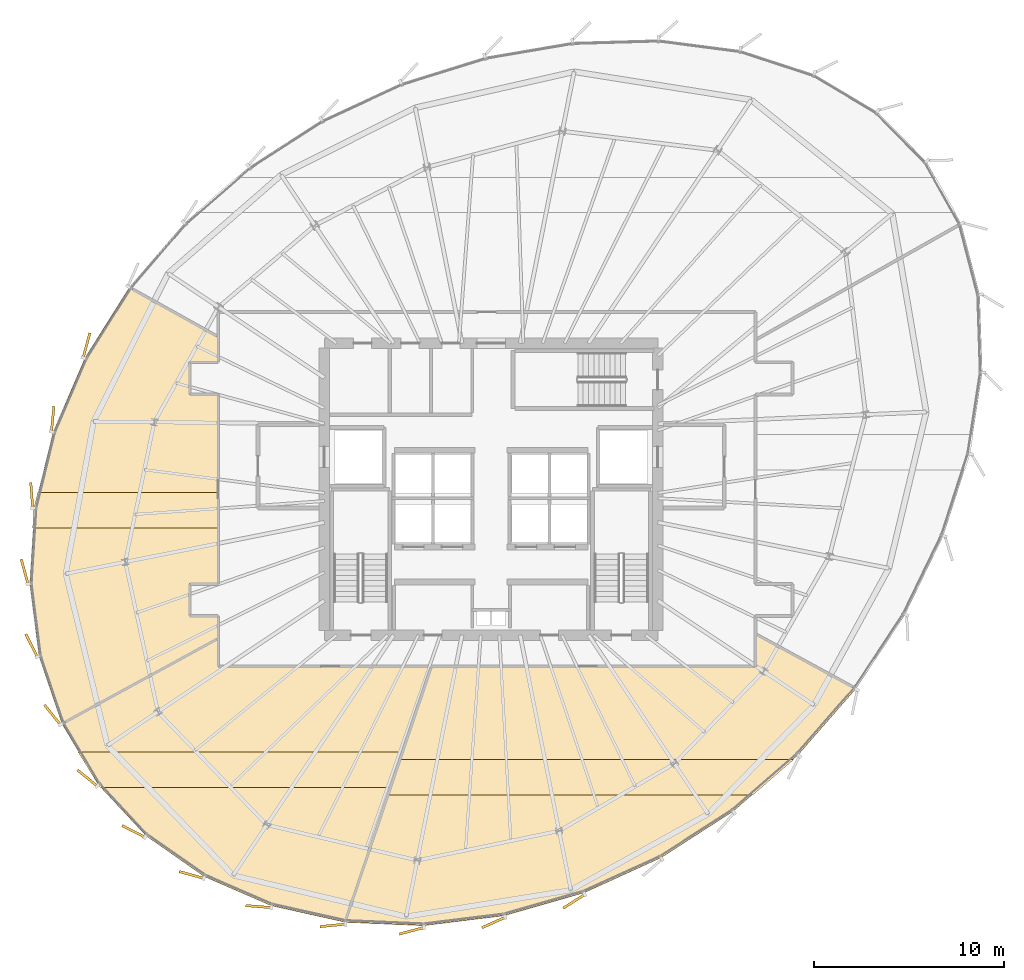
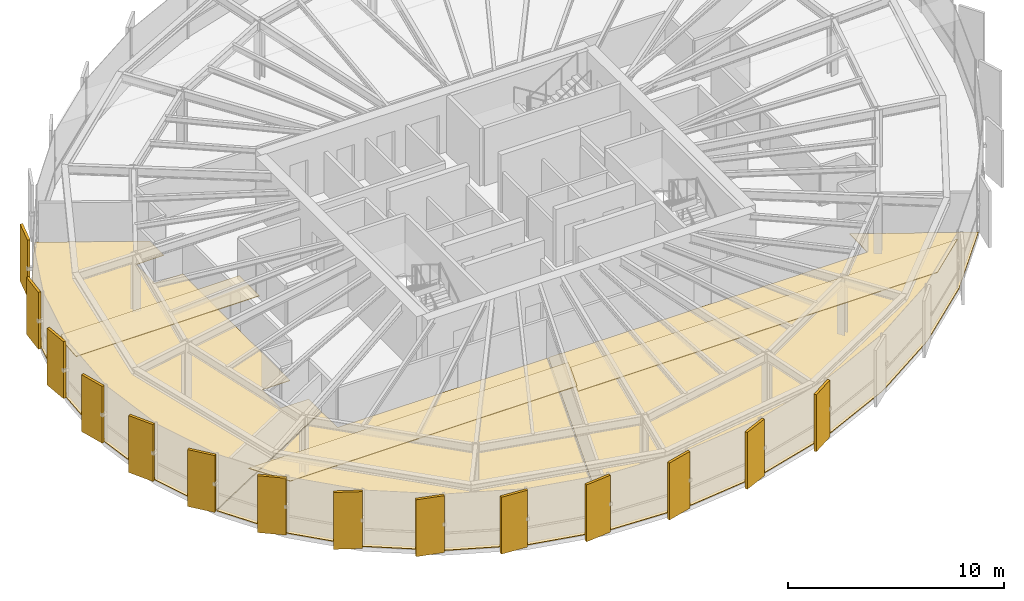
# One storey, part 32 of 34: 20 coverings.
"""IFC4 building model written with IfcOpenShell, lengths in metres."""

from ifc_helpers import new_model, si_unit, direction, frame, origin, origin_2d, place, context, subcontext, project, spatial, polyline, rectangle, outline, extrude, source, transform, mapped, material, layer, layer_set, type_object, element, save


model = new_model("IFC4")

# Units and contexts
model_context = context("Model", 3, precision=1e-05, world=origin(), true_north=direction((0.0, 1.0)))
body_context = subcontext(model_context, "Body", "Model", "MODEL_VIEW")
ifc_project = project(units=[si_unit("LENGTHUNIT", "METRE"), si_unit("AREAUNIT", "SQUARE_METRE"), si_unit("VOLUMEUNIT", "CUBIC_METRE"), si_unit("PLANEANGLEUNIT", "RADIAN"), si_unit("MASSUNIT", "GRAM", prefix="KILO"), si_unit("THERMODYNAMICTEMPERATUREUNIT", "KELVIN")], contexts=[model_context])

# Site, building, storey
site_placement = place(None, origin())
site = spatial("IfcSite", under=ifc_project, at=site_placement, CompositionType="ELEMENT")
building_placement = place(site_placement, origin())
building = spatial("IfcBuilding", under=site, at=building_placement, Name="Kethvar Cultural Tower", CompositionType="ELEMENT")
storey_placement = place(building_placement, frame((0.0, 0.0, 183.39990234375)))
storey = spatial("IfcBuildingStorey", under=building, at=storey_placement, Name="L47", CompositionType="ELEMENT", Elevation=183.39990234375)

# Coverings
ifc_material_1 = material(Name="Acoustic Mineral Fibre Ceiling")
ifc_layer_1 = layer(ifc_material_1, 0.0400390625, Name="Acoustic Mineral Fibre Ceiling")
ifc_layer_set_1 = layer_set([ifc_layer_1], Name="Acoustic Mineral Fibre Ceiling (40 mm)")
covering_type_1 = type_object("IfcCoveringType", Name="CV-ACOUSTIC-CEIL", PredefinedType="CEILING", material=ifc_layer_set_1)
covering_1_placement = place(storey_placement, frame((0.0, 0.0, 3.0)))
element("IfcCovering", 1, at=covering_1_placement, inside=storey, type_object=covering_type_1, Name="L47 Room 01 Acoustic Ceiling Panel", PredefinedType="CEILING", context=body_context, shape_type="SweptSolid", body=[
    extrude(outline(polyline([(26.175048828125, 12.05029296875), (25.0078125, 13.92041015625), (42.15625, 13.92041015625), (41.52783203125, 12.05029296875), (26.175048828125, 12.05029296875)])), origin(), (0.0, 0.0, 1.0), 0.0400390625),
])
covering_2_placement = place(storey_placement, frame((0.0, 0.0, 3.0)))
element("IfcCovering", 2, at=covering_2_placement, inside=storey, type_object=covering_type_1, Name="L47 Room 02 Acoustic Ceiling Panel", PredefinedType="CEILING", context=body_context, shape_type="SweptSolid", body=[
    extrude(outline(polyline([(60.608154296875, 11.658203125), (41.353759765625, 11.658203125), (41.982421875, 13.528076171875), (62.761474609375, 13.528076171875), (60.608154296875, 11.658203125)])), origin(), (0.0, 0.0, 1.0), 0.0400390625),
])
covering_3_placement = place(storey_placement, frame((0.0, 0.0, 3.0)))
element("IfcCovering", 3, at=covering_3_placement, inside=storey, type_object=covering_type_1, Name="L47 Room 05 Acoustic Ceiling Panel", PredefinedType="CEILING", context=body_context, shape_type="SweptSolid", body=[
    extrude(outline(polyline([(22.6708984375, 26.800537109375), (22.869140625, 27.61181640625), (32.419921875, 27.61181640625), (32.419921875, 25.741943359375), (22.604248046875, 25.741943359375), (22.6708984375, 26.800537109375)])), origin(), (0.0, 0.0, 1.0), 0.0400390625),
])
ifc_material_2 = material(Name="Honed Warm Limestone", Category="masonry")
ifc_layer_2 = layer(ifc_material_2, 0.030029296875, Name="Honed Warm Limestone", Category="masonry")
ifc_layer_set_2 = layer_set([ifc_layer_2], Name="Honed Warm Limestone (30 mm)")
covering_type_2 = type_object("IfcCoveringType", Name="CV-STONE-FLOOR", PredefinedType="FLOORING", material=ifc_layer_set_2)
covering_4_placement = place(storey_placement, origin())
element("IfcCovering", 4, at=covering_4_placement, inside=storey, type_object=covering_type_2, Name="L47 Room 01 Floor Finish", PredefinedType="FLOORING", context=body_context, shape_type="SweptSolid", body=[
    extrude(outline(polyline([(35.219970703125, 5.817626953125), (31.676513671875, 7.35595703125), (28.593017578125, 9.515380859375), (26.0625, 12.229736328125), (24.171142578125, 15.401123046875), (32.3798828125, 19.890625), (32.39794921875, 18.43017578125), (43.6298828125, 18.429931640625), (39.099609375, 4.95068359375), (35.219970703125, 5.817626953125)])), origin(), (0.0, 0.0, 1.0), 0.030029296875),
])
covering_5_placement = place(storey_placement, origin())
element("IfcCovering", 5, at=covering_5_placement, inside=storey, type_object=covering_type_2, Name="L47 Room 02 Floor Finish", PredefinedType="FLOORING", context=body_context, shape_type="SweptSolid", body=[
    extrude(outline(polyline([(66.023681640625, 17.25146484375), (62.997802734375, 13.786376953125), (59.56201171875, 10.802490234375), (55.7666015625, 8.35693359375), (51.698486328125, 6.501953125), (47.481689453125, 5.29443359375), (43.244384765625, 4.77099609375), (39.14013671875, 4.946044921875), (43.672119140625, 18.429931640625), (60.751953125, 18.43017578125), (60.77001953125, 20.1279296875), (66.023681640625, 17.25146484375)])), origin(), (0.0, 0.0, 1.0), 0.030029296875),
])
covering_6_placement = place(storey_placement, origin())
element("IfcCovering", 6, at=covering_6_placement, inside=storey, type_object=covering_type_2, Name="L47 Room 05 Floor Finish", PredefinedType="FLOORING", context=body_context, shape_type="SweptSolid", body=[
    extrude(outline(polyline([(22.948486328125, 18.980712890625), (22.459716796875, 22.8125), (22.710693359375, 26.796142578125), (23.693359375, 30.810546875), (25.37841796875, 34.7333984375), (27.705078125, 38.43115234375), (32.3798828125, 35.82275390625), (32.3798828125, 34.52001953125), (30.8798828125, 34.5), (30.884521484375, 32.787353515625), (32.3798828125, 32.780029296875), (32.3798828125, 22.820068359375), (30.884521484375, 22.812744140625), (30.880126953125, 21.097900390625), (32.3798828125, 21.080078125), (32.3798828125, 19.936279296875), (24.15478515625, 15.437744140625), (22.948486328125, 18.980712890625)])), origin(), (0.0, 0.0, 1.0), 0.030029296875),
])
ifc_material_3 = material(Name="Extruded Architectural Terracotta", Category="masonry")
ifc_layer_3 = layer(ifc_material_3, 0.135009765625, Name="Extruded Architectural Terracotta", Category="masonry")
ifc_layer_set_3 = layer_set([ifc_layer_3], Name="Extruded Architectural Terracotta (135 mm)")
covering_type_3 = type_object("IfcCoveringType", Name="Terracotta Facade Fin FIN-03", PredefinedType="CLADDING", material=ifc_layer_set_3)
shared_shape = source(origin(), body_context, "Body", "SweptSolid", [
    extrude(rectangle(XDim=1.35009765625, YDim=0.135009765625, at=origin_2d()), origin(), (0.0, 0.0, 1.0), 3.219970703125),
])
for number, where, z_axis, x_axis, name in (
    (7, (25.44921875, 35.389892578125, 0.02001953125), (0.0, 0.0, 1.0), (0.262862823299, 0.964833216741, 0.0), "L47 Vertical Terracotta Fin 3.1"),
    (8, (23.664306640625, 31.507568359375, 0.02001953125), (0.0, 0.0, 1.0), (0.100361714851, 0.994951016981, 0.0), "L47 Vertical Terracotta Fin 3.2"),
    (9, (22.55908203125, 27.477294921875, 0.02001953125), (0.0, 0.0, 1.0), (-0.076719028127, 0.997052752227, 0.0), "L47 Vertical Terracotta Fin 3.3"),
    (10, (22.1826171875, 23.452880859375, 0.02001953125), (0.0, 0.0, 1.0), (-0.263367972734, 0.964695449838, 0.0), "L47 Vertical Terracotta Fin 3.4"),
    (11, (22.548828125, 19.552978515625, 0.02001953125), (0.0, 0.0, 1.0), (-0.450877540689, 0.892585818452, 0.0), "L47 Vertical Terracotta Fin 3.5"),
    (12, (23.651611328125, 15.893798828125, 0.02001953125), (0.0, 0.0, 1.0), (-0.626739821955, 0.779228590066, 0.0), "L47 Vertical Terracotta Fin 3.6"),
    (13, (25.489990234375, 12.5595703125, 0.02001953125), (0.0, 0.0, 1.0), (-0.777036112492, 0.629456019022, 0.0), "L47 Vertical Terracotta Fin 4.1"),
    (14, (27.9326171875, 9.740966796875, 0.02001953125), (0.0, 0.0, 1.0), (-0.891006524188, 0.45399049974, 0.0), "L47 Vertical Terracotta Fin 4.2"),
    (15, (30.984375, 7.4453125, 0.02001953125), (0.0, 0.0, 1.0), (-0.963770246796, 0.266733783743, 0.0), "L47 Vertical Terracotta Fin 4.3"),
    (16, (34.5234375, 5.774658203125, 0.02001953125), (0.0, 0.0, 1.0), (-0.996778878456, 0.080198924329, 0.0), "L47 Vertical Terracotta Fin 4.4"),
    (17, (38.4375, 4.781982421875, 0.02001953125), (0.0, 0.0, 1.0), (-0.995295283161, -0.096888076238, 0.0), "L47 Vertical Terracotta Fin 4.5"),
    (18, (42.60302734375, 4.496337890625, 0.02001953125), (0.0, 0.0, 1.0), (-0.965744901133, -0.259493325415, 0.0), "L47 Vertical Terracotta Fin 4.6"),
    (19, (46.9287109375, 4.934326171875, 0.02001953125), (0.0, 0.0, 1.0), (-0.913687379856, -0.40641773078, 0.0), "L47 Vertical Terracotta Fin 5.1"),
    (20, (51.16943359375, 6.047607421875, 0.02001953125), (0.0, 0.0, 1.0), (-0.843297656495, -0.537446799739, 0.0), "L47 Vertical Terracotta Fin 5.2"),
):
    element("IfcCovering", number, at=place(storey_placement, frame(where, z_axis=z_axis, x_axis=x_axis)), inside=storey, type_object=covering_type_3, Name=name, PredefinedType="CLADDING", context=body_context, shape_type="MappedRepresentation", body=[
        mapped(shared_shape, transform((0.0, 0.0, 0.0), scale=1.0)),
    ])

save(model, "model.ifc")
